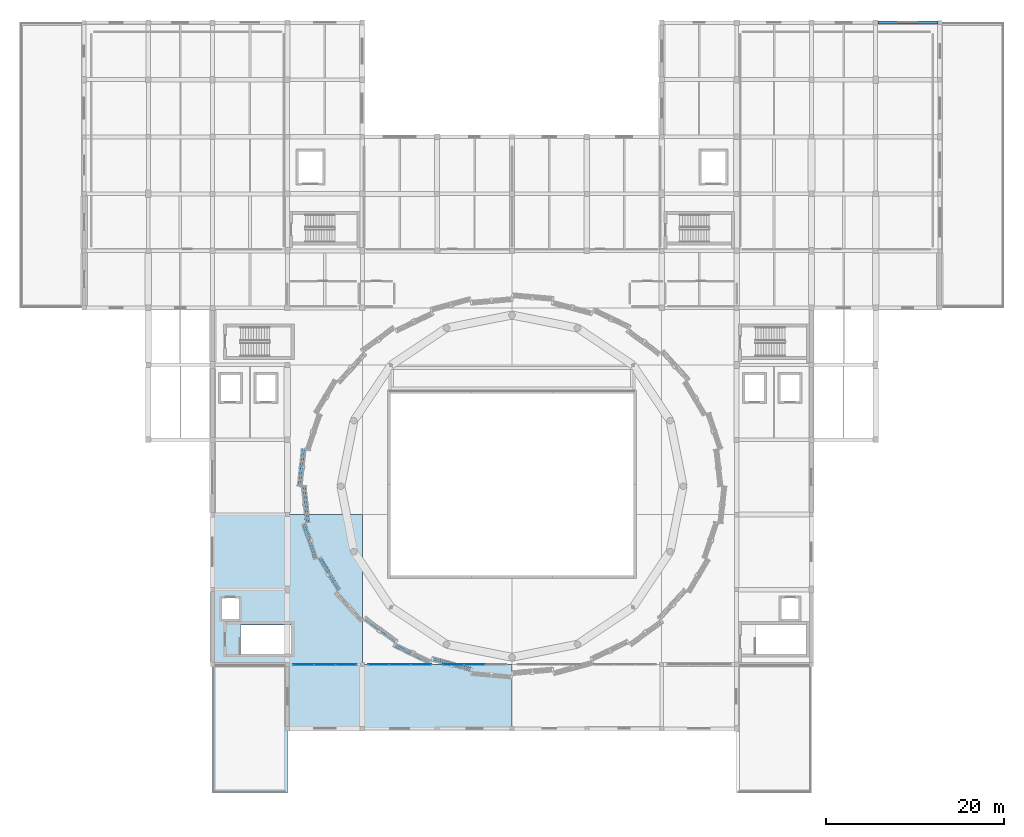
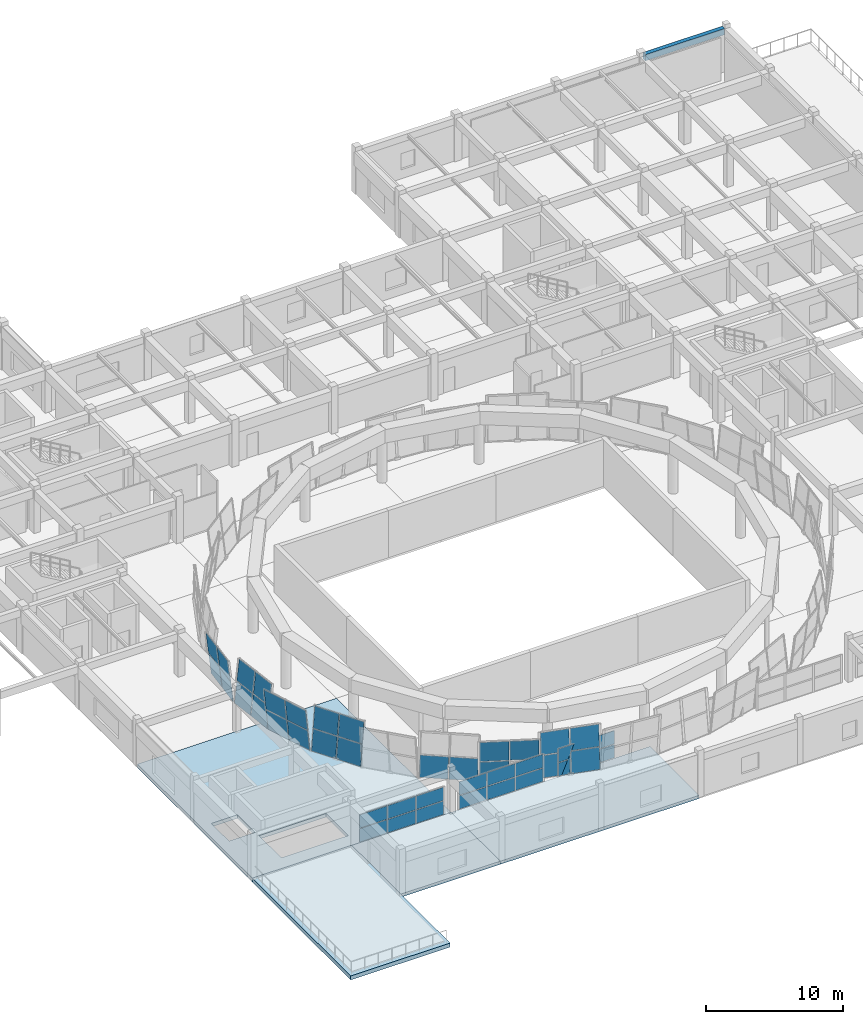
# One storey, part 23 of 40: 41 plates, 4 slabs, 1 beam, 10 elements without a shape of their own.
"""IFC4 building model written with IfcOpenShell, lengths in metres."""

from ifc_helpers import new_model, si_unit, direction, frame, origin, origin_2d, place, context, subcontext, project, spatial, polyline, rectangle, outline, extrude, material, layer, layer_set, material_profile, profile_set, type_object, element, aggregate, save


model = new_model("IFC4")

# Units and contexts
model_context = context("Model", 3, precision=1e-05, world=origin(), true_north=direction((0.0, 1.0)))
body_context = subcontext(model_context, "Body", "Model", "MODEL_VIEW")
ifc_project = project(units=[si_unit("LENGTHUNIT", "METRE"), si_unit("AREAUNIT", "SQUARE_METRE"), si_unit("VOLUMEUNIT", "CUBIC_METRE"), si_unit("PLANEANGLEUNIT", "RADIAN"), si_unit("MASSUNIT", "GRAM", prefix="KILO")], contexts=[model_context])

# Site, building, storey
site_placement = place(None, origin())
site = spatial("IfcSite", under=ifc_project, at=site_placement, CompositionType="ELEMENT")
building_placement = place(site_placement, origin())
building = spatial("IfcBuilding", under=site, at=building_placement, Name="Korsvaeld Concert Hall", CompositionType="ELEMENT")
storey_placement = place(building_placement, frame((0.0, 0.0, 13.199951171875)))
storey = spatial("IfcBuildingStorey", under=building, at=storey_placement, Name="L03", CompositionType="ELEMENT", Elevation=13.199951171875)

# Beam
ifc_material_1 = material(Name="Concrete C35/45", Category="concrete")
ifc_material_profile = material_profile(ifc_material_1, rectangle(XDim=0.35009765625, YDim=0.550048828125, at=origin_2d()), Name="RC 350x550")
ifc_profile_set = profile_set([ifc_material_profile], Name="Concrete C35/45")
beam_type = type_object("IfcBeamType", Name="BM-SP-350x550", PredefinedType="SPANDREL", material=ifc_profile_set)
beam_placement = place(storey_placement, frame((125.074951171875, 115.199951171875, 3.56494140625), z_axis=(1.0, 0.0, 0.0), x_axis=(0.0, 1.0, 0.0)))
element("IfcBeam", 1, at=beam_placement, inside=storey, type_object=beam_type, Name="Primary girder 17-18/S L03", PredefinedType="SPANDREL", context=body_context, shape_type="SweptSolid", body=[
    extrude(rectangle(XDim=0.35009765625, YDim=0.550048828125, at=origin_2d()), origin(), (0.0, 0.0, 1.0), 6.699951171875),
])

# Curtain wall, plates
ifc_material_2 = material(Name="Anodised bronze and ceramic-fritted safety glass", Category="glass")
curtain_wall_type_1 = type_object("IfcCurtainWallType", Name="CW-TYPE-13", PredefinedType="USERDEFINED", material=ifc_material_2)
curtain_wall_1_placement = place(storey_placement, origin())
curtain_wall_1 = element("IfcCurtainWall", 2, at=curtain_wall_1_placement, inside=storey, type_object=curtain_wall_type_1, Name="Glazed foyer acoustic screen L03-37", ObjectType="CURTAIN WALL", PredefinedType="USERDEFINED")
ifc_material_3 = material(Name="Clear acoustic triple safety glazing", Category="glass")
ifc_layer_1 = layer(ifc_material_3, 0.0439453125)
ifc_layer_set_1 = layer_set([ifc_layer_1], Name="Clear acoustic triple safety glazing")
plate_type_1 = type_object("IfcPlateType", Name="CWP-CLEAR-44", PredefinedType="CURTAIN_PANEL", material=ifc_layer_set_1)
plate_1_placement = place(storey_placement, frame((60.614990234375, 43.199951171875, 0.06005859375), z_axis=(0.0, 0.0, 1.0), x_axis=(1.0, 0.0, 0.0)))
plate_1 = element("IfcPlate", 3, at=plate_1_placement, type_object=plate_type_1, Name="CW-13 panel 1.1", PredefinedType="CURTAIN_PANEL", context=body_context, shape_type="SweptSolid", body=[
    extrude(rectangle(XDim=2.31005859375, YDim=0.0439453125, at=origin_2d()), origin(), (0.0, 0.0, 1.0), 1.18505859375),
])
plate_2_placement = place(storey_placement, frame((60.614990234375, 43.199951171875, 1.304931640625), z_axis=(0.0, 0.0, 1.0), x_axis=(1.0, 0.0, 0.0)))
plate_2 = element("IfcPlate", 4, at=plate_2_placement, type_object=plate_type_1, Name="CW-13 panel 1.2", PredefinedType="CURTAIN_PANEL", context=body_context, shape_type="SweptSolid", body=[
    extrude(rectangle(XDim=2.31005859375, YDim=0.0439453125, at=origin_2d()), origin(), (0.0, 0.0, 1.0), 1.18505859375),
])
plate_3_placement = place(storey_placement, frame((63.0, 43.199951171875, 0.06005859375), z_axis=(0.0, 0.0, 1.0), x_axis=(1.0, 0.0, 0.0)))
plate_3 = element("IfcPlate", 5, at=plate_3_placement, type_object=plate_type_1, Name="CW-13 panel 2.1", PredefinedType="CURTAIN_PANEL", context=body_context, shape_type="SweptSolid", body=[
    extrude(rectangle(XDim=2.340087890625, YDim=0.0439453125, at=origin_2d()), origin(), (0.0, 0.0, 1.0), 1.18505859375),
])
plate_4_placement = place(storey_placement, frame((63.0, 43.199951171875, 1.304931640625), z_axis=(0.0, 0.0, 1.0), x_axis=(1.0, 0.0, 0.0)))
plate_4 = element("IfcPlate", 6, at=plate_4_placement, type_object=plate_type_1, Name="CW-13 panel 2.2", PredefinedType="CURTAIN_PANEL", context=body_context, shape_type="SweptSolid", body=[
    extrude(rectangle(XDim=2.340087890625, YDim=0.0439453125, at=origin_2d()), origin(), (0.0, 0.0, 1.0), 1.18505859375),
])
plate_5_placement = place(storey_placement, frame((65.385009765625, 43.199951171875, 0.06005859375), z_axis=(0.0, 0.0, 1.0), x_axis=(1.0, 0.0, 0.0)))
plate_5 = element("IfcPlate", 7, at=plate_5_placement, type_object=plate_type_1, Name="CW-13 panel 3.1", PredefinedType="CURTAIN_PANEL", context=body_context, shape_type="SweptSolid", body=[
    extrude(rectangle(XDim=2.31005859375, YDim=0.0439453125, at=origin_2d()), origin(), (0.0, 0.0, 1.0), 1.18505859375),
])
plate_6_placement = place(storey_placement, frame((65.385009765625, 43.199951171875, 1.304931640625), z_axis=(0.0, 0.0, 1.0), x_axis=(1.0, 0.0, 0.0)))
plate_6 = element("IfcPlate", 8, at=plate_6_placement, type_object=plate_type_1, Name="CW-13 panel 3.2", PredefinedType="CURTAIN_PANEL", context=body_context, shape_type="SweptSolid", body=[
    extrude(rectangle(XDim=2.31005859375, YDim=0.0439453125, at=origin_2d()), origin(), (0.0, 0.0, 1.0), 1.18505859375),
])
aggregate(curtain_wall_1, [plate_1, plate_2, plate_3, plate_4, plate_5, plate_6])

curtain_wall_type_2 = type_object("IfcCurtainWallType", Name="CW-TYPE-14", PredefinedType="USERDEFINED", material=ifc_material_2)
curtain_wall_2_placement = place(storey_placement, origin())
curtain_wall_2 = element("IfcCurtainWall", 9, at=curtain_wall_2_placement, inside=storey, type_object=curtain_wall_type_2, Name="Glazed foyer acoustic screen L03-38", ObjectType="CURTAIN WALL", PredefinedType="USERDEFINED")
plate_7_placement = place(storey_placement, frame((69.014892578125, 43.199951171875, 0.06005859375), z_axis=(0.0, 0.0, 1.0), x_axis=(1.0, 0.0, 0.0)))
plate_7 = element("IfcPlate", 10, at=plate_7_placement, type_object=plate_type_1, Name="CW-14 panel 1.1", PredefinedType="CURTAIN_PANEL", context=body_context, shape_type="SweptSolid", body=[
    extrude(rectangle(XDim=2.31005859375, YDim=0.0439453125, at=origin_2d()), origin(), (0.0, 0.0, 1.0), 1.18505859375),
])
plate_8_placement = place(storey_placement, frame((69.014892578125, 43.199951171875, 1.304931640625), z_axis=(0.0, 0.0, 1.0), x_axis=(1.0, 0.0, 0.0)))
plate_8 = element("IfcPlate", 11, at=plate_8_placement, type_object=plate_type_1, Name="CW-14 panel 1.2", PredefinedType="CURTAIN_PANEL", context=body_context, shape_type="SweptSolid", body=[
    extrude(rectangle(XDim=2.31005859375, YDim=0.0439453125, at=origin_2d()), origin(), (0.0, 0.0, 1.0), 1.18505859375),
])
plate_9_placement = place(storey_placement, frame((71.39990234375, 43.199951171875, 0.06005859375), z_axis=(0.0, 0.0, 1.0), x_axis=(1.0, 0.0, 0.0)))
plate_9 = element("IfcPlate", 12, at=plate_9_placement, type_object=plate_type_1, Name="CW-14 panel 2.1", PredefinedType="CURTAIN_PANEL", context=body_context, shape_type="SweptSolid", body=[
    extrude(rectangle(XDim=2.340087890625, YDim=0.0439453125, at=origin_2d()), origin(), (0.0, 0.0, 1.0), 1.18505859375),
])
plate_10_placement = place(storey_placement, frame((71.39990234375, 43.199951171875, 1.304931640625), z_axis=(0.0, 0.0, 1.0), x_axis=(1.0, 0.0, 0.0)))
plate_10 = element("IfcPlate", 13, at=plate_10_placement, type_object=plate_type_1, Name="CW-14 panel 2.2", PredefinedType="CURTAIN_PANEL", context=body_context, shape_type="SweptSolid", body=[
    extrude(rectangle(XDim=2.340087890625, YDim=0.0439453125, at=origin_2d()), origin(), (0.0, 0.0, 1.0), 1.18505859375),
])
plate_11_placement = place(storey_placement, frame((73.784912109375, 43.199951171875, 0.06005859375), z_axis=(0.0, 0.0, 1.0), x_axis=(1.0, 0.0, 0.0)))
plate_11 = element("IfcPlate", 14, at=plate_11_placement, type_object=plate_type_1, Name="CW-14 panel 3.1", PredefinedType="CURTAIN_PANEL", context=body_context, shape_type="SweptSolid", body=[
    extrude(rectangle(XDim=2.31005859375, YDim=0.0439453125, at=origin_2d()), origin(), (0.0, 0.0, 1.0), 1.18505859375),
])
plate_12_placement = place(storey_placement, frame((73.784912109375, 43.199951171875, 1.304931640625), z_axis=(0.0, 0.0, 1.0), x_axis=(1.0, 0.0, 0.0)))
plate_12 = element("IfcPlate", 15, at=plate_12_placement, type_object=plate_type_1, Name="CW-14 panel 3.2", PredefinedType="CURTAIN_PANEL", context=body_context, shape_type="SweptSolid", body=[
    extrude(rectangle(XDim=2.31005859375, YDim=0.0439453125, at=origin_2d()), origin(), (0.0, 0.0, 1.0), 1.18505859375),
])
aggregate(curtain_wall_2, [plate_7, plate_8, plate_9, plate_10, plate_11, plate_12])

curtain_wall_type_3 = type_object("IfcCurtainWallType", Name="CW-TYPE-15", PredefinedType="USERDEFINED", material=ifc_material_2)
curtain_wall_3_placement = place(storey_placement, origin())
curtain_wall_3 = element("IfcCurtainWall", 16, at=curtain_wall_3_placement, inside=storey, type_object=curtain_wall_type_3, Name="Glazed foyer acoustic screen L03-39", ObjectType="CURTAIN WALL", PredefinedType="USERDEFINED")
plate_13_placement = place(storey_placement, frame((77.4150390625, 43.199951171875, 0.06005859375), z_axis=(0.0, 0.0, 1.0), x_axis=(1.0, 0.0, 0.0)))
plate_13 = element("IfcPlate", 17, at=plate_13_placement, type_object=plate_type_1, Name="CW-15 panel 1.1", PredefinedType="CURTAIN_PANEL", context=body_context, shape_type="SweptSolid", body=[
    extrude(rectangle(XDim=2.31005859375, YDim=0.0439453125, at=origin_2d()), origin(), (0.0, 0.0, 1.0), 1.18505859375),
])
plate_14_placement = place(storey_placement, frame((77.4150390625, 43.199951171875, 1.304931640625), z_axis=(0.0, 0.0, 1.0), x_axis=(1.0, 0.0, 0.0)))
plate_14 = element("IfcPlate", 18, at=plate_14_placement, type_object=plate_type_1, Name="CW-15 panel 1.2", PredefinedType="CURTAIN_PANEL", context=body_context, shape_type="SweptSolid", body=[
    extrude(rectangle(XDim=2.31005859375, YDim=0.0439453125, at=origin_2d()), origin(), (0.0, 0.0, 1.0), 1.18505859375),
])
plate_15_placement = place(storey_placement, frame((79.800048828125, 43.199951171875, 0.06005859375), z_axis=(0.0, 0.0, 1.0), x_axis=(1.0, 0.0, 0.0)))
plate_15 = element("IfcPlate", 19, at=plate_15_placement, type_object=plate_type_1, Name="CW-15 panel 2.1", PredefinedType="CURTAIN_PANEL", context=body_context, shape_type="SweptSolid", body=[
    extrude(rectangle(XDim=2.340087890625, YDim=0.0439453125, at=origin_2d()), origin(), (0.0, 0.0, 1.0), 1.18505859375),
])
plate_16_placement = place(storey_placement, frame((79.800048828125, 43.199951171875, 1.304931640625), z_axis=(0.0, 0.0, 1.0), x_axis=(1.0, 0.0, 0.0)))
plate_16 = element("IfcPlate", 20, at=plate_16_placement, type_object=plate_type_1, Name="CW-15 panel 2.2", PredefinedType="CURTAIN_PANEL", context=body_context, shape_type="SweptSolid", body=[
    extrude(rectangle(XDim=2.340087890625, YDim=0.0439453125, at=origin_2d()), origin(), (0.0, 0.0, 1.0), 1.18505859375),
])
aggregate(curtain_wall_3, [plate_13, plate_14, plate_15, plate_16])

curtain_wall_type_4 = type_object("IfcCurtainWallType", Name="CW-TYPE-08", PredefinedType="USERDEFINED", material=ifc_material_2)
curtain_wall_4_placement = place(storey_placement, origin())
curtain_wall_4 = element("IfcCurtainWall", 21, at=curtain_wall_4_placement, inside=storey, type_object=curtain_wall_type_4, Name="Crystal curtain-wall facet L03 F16", ObjectType="CURTAIN WALL", PredefinedType="USERDEFINED")
ifc_material_4 = material(Name="Translucent ceramic-fritted crystal safety glass", Category="glass")
ifc_layer_2 = layer(ifc_material_4, 0.035888671875)
ifc_layer_set_2 = layer_set([ifc_layer_2], Name="Translucent ceramic-fritted crystal safety glass")
plate_type_2 = type_object("IfcPlateType", Name="CWP-CRYSTAL-36", PredefinedType="CURTAIN_PANEL", material=ifc_layer_set_2)
plate_17_placement = place(storey_placement, frame((60.838623046875, 67.261962890625, 0.06005859375), z_axis=(-0.98764938802, 0.108355443344, -0.113171481577), x_axis=(-0.10905607732, -0.99403559896, 0.0)))
plate_17 = element("IfcPlate", 22, at=plate_17_placement, type_object=plate_type_2, Name="CW-CRYS-L03-F16 ceramic-fritted crystal panel 1.1", PredefinedType="CURTAIN_PANEL", context=body_context, shape_type="SweptSolid", body=[
    extrude(outline(polyline([(0.0, 0.0), (1.9677913844802313, 3.469446951953614e-18), (1.97224488081178, 1.8620605188167947), (0.004453496331548846, 1.8620605188167947), (0.0, 0.0)])), frame((0.0, 0.0, 0.01806640625)), (0.0, 0.0, -1.0), 0.035888671875),
])
plate_18_placement = place(storey_placement, frame((60.621826171875, 67.28125, 1.969970703125), z_axis=(-0.987650850226, 0.108342081287, -0.113171513509), x_axis=(-0.109042629262, -0.99403707426, 0.0)))
plate_18 = element("IfcPlate", 23, at=plate_18_placement, type_object=plate_type_2, Name="CW-CRYS-L03-F16 ceramic-fritted crystal panel 1.2", PredefinedType="CURTAIN_PANEL", context=body_context, shape_type="SweptSolid", body=[
    extrude(outline(polyline([(0.0, 0.0), (1.9680340691327352, -3.469446951953614e-18), (1.9724847145236928, 1.8620605256332161), (0.004450645390957637, 1.8620605256332161), (0.0, 0.0)])), frame((0.0, 0.0, 0.01806640625)), (0.0, 0.0, -1.0), 0.035888671875),
])
plate_19_placement = place(storey_placement, frame((60.615966796875, 65.231201171875, 0.06005859375), z_axis=(-0.98764938802, 0.108355443344, -0.113171481577), x_axis=(-0.10905607732, -0.99403559896, 0.0)))
plate_19 = element("IfcPlate", 24, at=plate_19_placement, type_object=plate_type_2, Name="CW-CRYS-L03-F16 ceramic-fritted crystal panel 2.1", PredefinedType="CURTAIN_PANEL", context=body_context, shape_type="SweptSolid", body=[
    extrude(outline(polyline([(0.0, 0.0), (1.9677913844802313, 3.469446951953614e-18), (1.97224488081178, 1.8620605188167947), (0.004453496331548846, 1.8620605188167947), (0.0, 0.0)])), frame((0.0, 0.0, 0.01806640625)), (0.0, 0.0, -1.0), 0.035888671875),
])
plate_20_placement = place(storey_placement, frame((60.399169921875, 65.25048828125, 1.969970703125), z_axis=(-0.98764938802, 0.108355443344, -0.113171481577), x_axis=(-0.10905607732, -0.99403559896, 0.0)))
plate_20 = element("IfcPlate", 25, at=plate_20_placement, type_object=plate_type_2, Name="CW-CRYS-L03-F16 ceramic-fritted crystal panel 2.2", PredefinedType="CURTAIN_PANEL", context=body_context, shape_type="SweptSolid", body=[
    extrude(outline(polyline([(0.0, 0.0), (1.9677913844802313, 3.469446951953614e-18), (1.97224488081178, 1.8620605188167947), (0.004453496331548846, 1.8620605188167947), (0.0, 0.0)])), frame((0.0, 0.0, 0.01806640625)), (0.0, 0.0, -1.0), 0.035888671875),
])
aggregate(curtain_wall_4, [plate_17, plate_18, plate_19, plate_20])

curtain_wall_type_5 = type_object("IfcCurtainWallType", Name="CW-TYPE-01", PredefinedType="USERDEFINED", material=ifc_material_2)
curtain_wall_5_placement = place(storey_placement, origin())
curtain_wall_5 = element("IfcCurtainWall", 26, at=curtain_wall_5_placement, inside=storey, type_object=curtain_wall_type_5, Name="Crystal curtain-wall facet L03 F17", ObjectType="CURTAIN WALL", PredefinedType="USERDEFINED")
plate_21_placement = place(storey_placement, frame((60.4150390625, 63.1259765625, 0.06005859375), z_axis=(-0.987662711113, -0.108233632097, 0.113171771918), x_axis=(0.108933482058, -0.994049041289, 0.0)))
plate_21 = element("IfcPlate", 27, at=plate_21_placement, type_object=plate_type_2, Name="CW-CRYS-L03-F17 ceramic-fritted crystal panel 1.1", PredefinedType="CURTAIN_PANEL", context=body_context, shape_type="SweptSolid", body=[
    extrude(outline(polyline([(0.0, 0.0), (1.967764774426495, 0.0), (1.972192281123818, 1.8620605807949135), (0.004427506697322853, 1.8620605807949135), (0.0, 0.0)])), frame((0.0, 0.0, 0.01806640625)), (0.0, 0.0, -1.0), 0.035888671875),
])
plate_22_placement = place(storey_placement, frame((60.6318359375, 63.145263671875, 1.969970703125), z_axis=(-0.987662711113, -0.108233632097, 0.113171771918), x_axis=(0.108933482058, -0.994049041289, 0.0)))
plate_22 = element("IfcPlate", 28, at=plate_22_placement, type_object=plate_type_2, Name="CW-CRYS-L03-F17 ceramic-fritted crystal panel 1.2", PredefinedType="CURTAIN_PANEL", context=body_context, shape_type="SweptSolid", body=[
    extrude(outline(polyline([(0.0, 0.0), (1.967764774426495, 0.0), (1.972192281123818, 1.8620605807949135), (0.004427506697322853, 1.8620605807949135), (0.0, 0.0)])), frame((0.0, 0.0, 0.01806640625)), (0.0, 0.0, -1.0), 0.035888671875),
])
plate_23_placement = place(storey_placement, frame((60.6376953125, 61.095458984375, 0.06005859375), z_axis=(-0.987664170071, -0.108220284703, 0.113171803629), x_axis=(0.108920048755, -0.994050513294, 0.0)))
plate_23 = element("IfcPlate", 29, at=plate_23_placement, type_object=plate_type_2, Name="CW-CRYS-L03-F17 ceramic-fritted crystal panel 2.1", PredefinedType="CURTAIN_PANEL", context=body_context, shape_type="SweptSolid", body=[
    extrude(outline(polyline([(0.0, 0.0), (1.9680074623604151, 0.0), (1.9724321212761298, 1.8620605875640366), (0.004424658915714849, 1.8620605875640366), (0.0, 0.0)])), frame((0.0, 0.0, 0.01806640625)), (0.0, 0.0, -1.0), 0.035888671875),
])
plate_24_placement = place(storey_placement, frame((60.8544921875, 61.114501953125, 1.969970703125), z_axis=(-0.987662711113, -0.108233632097, 0.113171771918), x_axis=(0.108933482058, -0.994049041289, 0.0)))
plate_24 = element("IfcPlate", 30, at=plate_24_placement, type_object=plate_type_2, Name="CW-CRYS-L03-F17 ceramic-fritted crystal panel 2.2", PredefinedType="CURTAIN_PANEL", context=body_context, shape_type="SweptSolid", body=[
    extrude(outline(polyline([(0.0, 0.0), (1.967764774426495, 0.0), (1.972192281123818, 1.8620605807949135), (0.004427506697322853, 1.8620605807949135), (0.0, 0.0)])), frame((0.0, 0.0, 0.01806640625)), (0.0, 0.0, -1.0), 0.035888671875),
])
aggregate(curtain_wall_5, [plate_21, plate_22, plate_23, plate_24])

curtain_wall_type_6 = type_object("IfcCurtainWallType", Name="CW-TYPE-02", PredefinedType="USERDEFINED", material=ifc_material_2)
curtain_wall_6_placement = place(storey_placement, origin())
curtain_wall_6 = element("IfcCurtainWall", 31, at=curtain_wall_6_placement, inside=storey, type_object=curtain_wall_type_6, Name="Crystal curtain-wall facet L03 F18", ObjectType="CURTAIN WALL", PredefinedType="USERDEFINED")
plate_25_placement = place(storey_placement, frame((60.870849609375, 58.9912109375, 0.06005859375), z_axis=(-0.941366104364, -0.317900359323, -0.113000969451), x_axis=(0.319949676143, -0.947434538497, 0.0)))
plate_25 = element("IfcPlate", 32, at=plate_25_placement, type_object=plate_type_2, Name="CW-CRYS-L03-F18 ceramic-fritted crystal panel 1.1", PredefinedType="CURTAIN_PANEL", context=body_context, shape_type="SweptSolid", body=[
    extrude(outline(polyline([(0.0, 0.0), (1.9862437572585203, 0.0), (1.9736826146833244, 1.8620241487311948), (-0.012561142575196048, 1.8620241487311948), (0.0, 0.0)])), frame((0.0, 0.0, 0.01806640625)), (0.0, 0.0, -1.0), 0.035888671875),
])
plate_26_placement = place(storey_placement, frame((60.660888671875, 58.93408203125, 1.969970703125), z_axis=(-0.941378575992, -0.317863332898, -0.113001231244), x_axis=(0.319912420616, -0.947447118912, 0.0)))
plate_26 = element("IfcPlate", 33, at=plate_26_placement, type_object=plate_type_2, Name="CW-CRYS-L03-F18 ceramic-fritted crystal panel 1.2", PredefinedType="CURTAIN_PANEL", context=body_context, shape_type="SweptSolid", body=[
    extrude(outline(polyline([(0.0, 0.0), (1.9864750660546802, 1.3877787807814457e-17), (1.9739221973095524, 1.862024204527748), (-0.012552868745127732, 1.862024204527748), (0.0, 0.0)])), frame((0.0, 0.0, 0.01806640625)), (0.0, 0.0, -1.0), 0.035888671875),
])
plate_27_placement = place(storey_placement, frame((61.5302734375, 57.038330078125, 0.06005859375), z_axis=(-0.941378575992, -0.317863332898, -0.113001231244), x_axis=(0.319912420616, -0.947447118912, 0.0)))
plate_27 = element("IfcPlate", 34, at=plate_27_placement, type_object=plate_type_2, Name="CW-CRYS-L03-F18 ceramic-fritted crystal panel 2.1", PredefinedType="CURTAIN_PANEL", context=body_context, shape_type="SweptSolid", body=[
    extrude(outline(polyline([(0.0, 0.0), (1.9864750660546802, 1.3877787807814457e-17), (1.9739221973095524, 1.862024204527748), (-0.012552868745127732, 1.862024204527748), (0.0, 0.0)])), frame((0.0, 0.0, 0.01806640625)), (0.0, 0.0, -1.0), 0.035888671875),
])
plate_28_placement = place(storey_placement, frame((61.3203125, 56.98095703125, 1.969970703125), z_axis=(-0.941366104364, -0.317900359323, -0.113000969451), x_axis=(0.319949676143, -0.947434538497, 0.0)))
plate_28 = element("IfcPlate", 35, at=plate_28_placement, type_object=plate_type_2, Name="CW-CRYS-L03-F18 ceramic-fritted crystal panel 2.2", PredefinedType="CURTAIN_PANEL", context=body_context, shape_type="SweptSolid", body=[
    extrude(outline(polyline([(0.0, 0.0), (1.9862437572585203, 0.0), (1.9736826146833244, 1.8620241487311948), (-0.012561142575196048, 1.8620241487311948), (0.0, 0.0)])), frame((0.0, 0.0, 0.01806640625)), (0.0, 0.0, -1.0), 0.035888671875),
])
aggregate(curtain_wall_6, [plate_25, plate_26, plate_27, plate_28])

curtain_wall_type_7 = type_object("IfcCurtainWallType", Name="CW-TYPE-03", PredefinedType="USERDEFINED", material=ifc_material_2)
curtain_wall_7_placement = place(storey_placement, origin())
curtain_wall_7 = element("IfcCurtainWall", 36, at=curtain_wall_7_placement, inside=storey, type_object=curtain_wall_type_7, Name="Crystal curtain-wall facet L03 F19", ObjectType="CURTAIN WALL", PredefinedType="USERDEFINED")
plate_29_placement = place(storey_placement, frame((62.240966796875, 55.025634765625, 0.06005859375), z_axis=(-0.853893593206, -0.508097010457, 0.112708293603), x_axis=(0.511355642528, -0.859369191234, 3.460787e-06)))
plate_29 = element("IfcPlate", 37, at=plate_29_placement, type_object=plate_type_2, Name="CW-CRYS-L03-F19 ceramic-fritted crystal panel 1.1", PredefinedType="CURTAIN_PANEL", context=body_context, shape_type="SweptSolid", body=[
    extrude(outline(polyline([(0.0, 0.0), (2.0199366877959646, 1.3877787807814457e-17), (2.0388127149924435, 1.8619547528990286), (0.018666220265025214, 1.8619688244266253), (0.0, 0.0)])), frame((0.0, 0.0, 0.01806640625)), (0.0, 0.0, -1.0), 0.035888671875),
])
plate_30_placement = place(storey_placement, frame((62.43701171875, 55.119873046875, 1.969970703125), z_axis=(-0.853914504774, -0.508049407558, 0.112764435958), x_axis=(0.511310904745, -0.859395810254, 2.35671e-06)))
plate_30 = element("IfcPlate", 38, at=plate_30_placement, type_object=plate_type_2, Name="CW-CRYS-L03-F19 ceramic-fritted crystal panel 1.2", PredefinedType="CURTAIN_PANEL", context=body_context, shape_type="SweptSolid", body=[
    extrude(outline(polyline([(0.0, 0.0), (2.0201464952873813, -2.7755575615628914e-17), (2.038799744799733, 1.8619689549674794), (0.018987894706443156, 1.861978537093525), (0.0, 0.0)])), frame((0.0, 0.0, 0.01806640625)), (0.0, 0.0, -1.0), 0.035888671875),
])
plate_31_placement = place(storey_placement, frame((63.312255859375, 53.225341796875, 0.06005859375), z_axis=(-0.853893593206, -0.508097010457, 0.112708293603), x_axis=(0.511354967854, -0.85936959269, -3.460427e-06)))
plate_31 = element("IfcPlate", 39, at=plate_31_placement, type_object=plate_type_2, Name="CW-CRYS-L03-F19 ceramic-fritted crystal panel 2.1", PredefinedType="CURTAIN_PANEL", context=body_context, shape_type="SweptSolid", body=[
    extrude(outline(polyline([(0.0, 0.0), (2.020146494776427, 1.3877787807814457e-17), (2.0387997453154054, 1.8619689544028337), (0.018863057568443344, 1.861954884336668), (0.0, 0.0)])), frame((0.0, 0.0, 0.01806640625)), (0.0, 0.0, -1.0), 0.035888671875),
])
plate_32_placement = place(storey_placement, frame((63.50830078125, 53.3193359375, 1.969970703125), z_axis=(-0.853895606904, -0.508073891, 0.112797224229), x_axis=(0.511337798574, -0.859379808767, 5.820704e-06)))
plate_32 = element("IfcPlate", 40, at=plate_32_placement, type_object=plate_type_2, Name="CW-CRYS-L03-F19 ceramic-fritted crystal panel 2.2", PredefinedType="CURTAIN_PANEL", context=body_context, shape_type="SweptSolid", body=[
    extrude(outline(polyline([(0.0, 0.0), (2.019936686058763, 0.0), (2.038602913623199, 1.8619688224688642), (0.018791065894165827, 1.8619924876787373), (0.0, 0.0)])), frame((0.0, 0.0, 0.01806640625)), (0.0, 0.0, -1.0), 0.035888671875),
])
aggregate(curtain_wall_7, [plate_29, plate_30, plate_31, plate_32])

curtain_wall_type_8 = type_object("IfcCurtainWallType", Name="CW-TYPE-05", PredefinedType="USERDEFINED", material=ifc_material_2)
curtain_wall_8_placement = place(storey_placement, origin())
curtain_wall_8 = element("IfcCurtainWall", 41, at=curtain_wall_8_placement, inside=storey, type_object=curtain_wall_type_8, Name="Crystal curtain-wall facet L03 F21", ObjectType="CURTAIN WALL", PredefinedType="USERDEFINED")
plate_33_placement = place(storey_placement, frame((67.377197265625, 48.169921875, 0.06005859375), z_axis=(-0.589606250178, -0.799810195203, 0.112552749416), x_axis=(0.804925146467, -0.59337636334, 3.840784e-06)))
plate_33 = element("IfcPlate", 42, at=plate_33_placement, type_object=plate_type_2, Name="CW-CRYS-L03-F21 ceramic-fritted crystal panel 1.1", PredefinedType="CURTAIN_PANEL", context=body_context, shape_type="SweptSolid", body=[
    extrude(outline(polyline([(0.0, 0.0), (2.109154469485147, -2.7755575615628914e-17), (2.131252808658941, 1.8619205774388161), (0.02229485410213064, 1.8619368818990785), (0.0, 0.0)])), frame((0.0, 0.0, 0.01806640625)), (0.0, 0.0, -1.0), 0.035888671875),
])
plate_34_placement = place(storey_placement, frame((69.13525390625, 46.873779296875, 0.06005859375), z_axis=(-0.589629269114, -0.799783907169, 0.112618945289), x_axis=(0.804904507896, -0.593404358906, 0.0)))
plate_34 = element("IfcPlate", 43, at=plate_34_placement, type_object=plate_type_2, Name="CW-CRYS-L03-F21 ceramic-fritted crystal panel 2.1", PredefinedType="CURTAIN_PANEL", context=body_context, shape_type="SweptSolid", body=[
    extrude(outline(polyline([(0.0, 0.0), (2.1089579558479716, 1.3877787807814457e-17), (2.130897028751609, 1.8619428700867073), (0.0219390729036376, 1.8619428700867073), (0.0, 0.0)])), frame((0.0, 0.0, 0.01806640625)), (0.0, 0.0, -1.0), 0.035888671875),
])
aggregate(curtain_wall_8, [plate_33, plate_34])

curtain_wall_type_9 = type_object("IfcCurtainWallType", Name="CW-TYPE-06", PredefinedType="USERDEFINED", material=ifc_material_2)
curtain_wall_9_placement = place(storey_placement, origin())
curtain_wall_9 = element("IfcCurtainWall", 44, at=curtain_wall_9_placement, inside=storey, type_object=curtain_wall_type_9, Name="Crystal curtain-wall facet L03 F22", ObjectType="CURTAIN WALL", PredefinedType="USERDEFINED")
plate_35_placement = place(storey_placement, frame((70.95263671875, 45.534423828125, 0.06005859375), z_axis=(-0.429999158214, -0.895756378641, -0.112788448256), x_axis=(0.901508884705, -0.432760592935, 0.0)))
plate_35 = element("IfcPlate", 45, at=plate_35_placement, type_object=plate_type_2, Name="CW-CRYS-L03-F22 ceramic-fritted crystal panel 1.1", PredefinedType="CURTAIN_PANEL", context=body_context, shape_type="SweptSolid", body=[
    extrude(outline(polyline([(0.0, 0.0), (2.1505286703400395, 0.0), (2.131642301423537, 1.8619788978930212), (-0.018886368916502288, 1.8619788978930212), (0.0, 0.0)])), frame((0.0, 0.0, 0.01806640625)), (0.0, 0.0, -1.0), 0.035888671875),
])
plate_36_placement = place(storey_placement, frame((70.84130859375, 45.347412109375, 1.969970703125), z_axis=(-0.430022527134, -0.89574865601, -0.112760682039), x_axis=(0.901498388408, -0.432782457697, -2.752414e-06)))
plate_36 = element("IfcPlate", 46, at=plate_36_placement, type_object=plate_type_2, Name="CW-CRYS-L03-F22 ceramic-fritted crystal panel 1.2", PredefinedType="CURTAIN_PANEL", context=body_context, shape_type="SweptSolid", body=[
    extrude(outline(polyline([(0.0, 0.0), (2.15052866969938, 0.0), (2.1316423020585704, 1.8619788971660192), (-0.0186662752608272, 1.8619669834991164), (0.0, 0.0)])), frame((0.0, 0.0, 0.01806640625)), (0.0, 0.0, -1.0), 0.035888671875),
])
plate_37_placement = place(storey_placement, frame((72.84765625, 44.38427734375, 1.969970703125), z_axis=(-0.430090776937, -0.89571226322, -0.112789472515), x_axis=(0.901464591462, -0.432852850679, 0.0)))
plate_37 = element("IfcPlate", 47, at=plate_37_placement, type_object=plate_type_2, Name="CW-CRYS-L03-F22 ceramic-fritted crystal panel 2.2", PredefinedType="CURTAIN_PANEL", context=body_context, shape_type="SweptSolid", body=[
    extrude(outline(polyline([(0.0, 0.0), (2.150634336043882, 0.0), (2.1317694595248153, 1.8619791157700134), (-0.01886487651906714, 1.8619791157700134), (0.0, 0.0)])), frame((0.0, 0.0, 0.01806640625)), (0.0, 0.0, -1.0), 0.035888671875),
])
aggregate(curtain_wall_9, [plate_35, plate_36, plate_37])

curtain_wall_type_10 = type_object("IfcCurtainWallType", Name="CW-TYPE-07", PredefinedType="USERDEFINED", material=ifc_material_2)
curtain_wall_10_placement = place(storey_placement, origin())
curtain_wall_10 = element("IfcCurtainWall", 48, at=curtain_wall_10_placement, inside=storey, type_object=curtain_wall_type_10, Name="Crystal curtain-wall facet L03 F23", ObjectType="CURTAIN WALL", PredefinedType="USERDEFINED")
plate_38_placement = place(storey_placement, frame((75.043212890625, 43.6005859375, 0.06005859375), z_axis=(-0.261267170979, -0.958628162452, 0.113011112386), x_axis=(0.964808945702, -0.262951893492, -1.651991e-06)))
plate_38 = element("IfcPlate", 49, at=plate_38_placement, type_object=plate_type_2, Name="CW-CRYS-L03-F23 ceramic-fritted crystal panel 1.1", PredefinedType="CURTAIN_PANEL", context=body_context, shape_type="SweptSolid", body=[
    extrude(outline(polyline([(0.0, 0.0), (2.18176749988946, 1.3877787807814457e-17), (2.1944981908801506, 1.8620299592839915), (0.012495141931681508, 1.8620227038958976), (0.0, 0.0)])), frame((0.0, 0.0, 0.01806640625)), (0.0, 0.0, -1.0), 0.035888671875),
])
plate_39_placement = place(storey_placement, frame((75.11279296875, 43.806640625, 1.969970703125), z_axis=(-0.261163697715, -0.958656442547, 0.113010389604), x_axis=(0.964837427078, -0.262847368842, 1.651196e-06)))
plate_39 = element("IfcPlate", 50, at=plate_39_placement, type_object=plate_type_2, Name="CW-CRYS-L03-F23 ceramic-fritted crystal panel 1.2", PredefinedType="CURTAIN_PANEL", context=body_context, shape_type="SweptSolid", body=[
    extrude(outline(polyline([(0.0, 0.0), (2.1819388679447598, 0.0), (2.194462914557344, 1.8620225097062955), (0.012759602625054647, 1.8620297613910195), (0.0, 0.0)])), frame((0.0, 0.0, 0.01806640625)), (0.0, 0.0, -1.0), 0.035888671875),
])
plate_40_placement = place(storey_placement, frame((77.220703125, 43.00732421875, 0.06005859375), z_axis=(-0.26128178054, -0.958626175241, 0.112994191446), x_axis=(0.964805126409, -0.262965906641, 0.0)))
plate_40 = element("IfcPlate", 51, at=plate_40_placement, type_object=plate_type_2, Name="CW-CRYS-L03-F23 ceramic-fritted crystal panel 2.1", PredefinedType="CURTAIN_PANEL", context=body_context, shape_type="SweptSolid", body=[
    extrude(outline(polyline([(0.0, 0.0), (2.1817675001225645, -1.3877787807814457e-17), (2.1942626425191207, 1.862022704165911), (0.01249514239655624, 1.862022704165911), (0.0, 0.0)])), frame((0.0, 0.0, 0.01806640625)), (0.0, 0.0, -1.0), 0.035888671875),
])
plate_41_placement = place(storey_placement, frame((77.290283203125, 43.21337890625, 1.969970703125), z_axis=(-0.261213567784, -0.958635449337, 0.113073194349), x_axis=(0.964822956688, -0.262900479629, -7.717335e-06)))
plate_41 = element("IfcPlate", 52, at=plate_41_placement, type_object=plate_type_2, Name="CW-CRYS-L03-F23 ceramic-fritted crystal panel 2.2", PredefinedType="CURTAIN_PANEL", context=body_context, shape_type="SweptSolid", body=[
    extrude(outline(polyline([(0.0, 0.0), (2.1817674950410426, 0.0), (2.1944339950959075, 1.8620565918327672), (0.012495132262614448, 1.8620226982797985), (0.0, 0.0)])), frame((0.0, 0.0, 0.01806640625)), (0.0, 0.0, -1.0), 0.035888671875),
])
aggregate(curtain_wall_10, [plate_38, plate_39, plate_40, plate_41])

# Slabs
ifc_layer_3 = layer(ifc_material_1, 0.280029296875)
ifc_layer_set_3 = layer_set([ifc_layer_3], Name="Concrete C35/45")
slab_type_1 = type_object("IfcSlabType", Name="SLB-FOY-280", PredefinedType="FLOOR", material=ifc_layer_set_3)
slab_1_placement = place(storey_placement, frame((0.0, 0.0, -0.280029296875)))
element("IfcSlab", 53, at=slab_1_placement, inside=storey, type_object=slab_type_1, Name="Structural slab L03 V4_BELV_L03 1.1", PredefinedType="FLOOR", context=body_context, shape_type="SweptSolid", body=[
    extrude(outline(polyline([(58.800048828125, 36.0), (58.800048828125, 43.199951171875), (67.199951171875, 43.199951171875), (67.199951171875, 36.0), (58.800048828125, 36.0)])), origin(), (0.0, 0.0, 1.0), 0.280029296875),
])
slab_2_placement = place(storey_placement, frame((0.0, 0.0, -0.280029296875)))
element("IfcSlab", 54, at=slab_2_placement, inside=storey, type_object=slab_type_1, Name="Structural slab L03 V4_BELV_L03 2.1", PredefinedType="FLOOR", context=body_context, shape_type="SweptSolid", body=[
    extrude(outline(polyline([(67.199951171875, 36.0), (67.199951171875, 43.199951171875), (84.0, 43.199951171875), (84.0, 36.0), (67.199951171875, 36.0)])), origin(), (0.0, 0.0, 1.0), 0.280029296875),
])
ifc_layer_4 = layer(ifc_material_1, 0.320068359375)
ifc_layer_set_4 = layer_set([ifc_layer_4], Name="Concrete C35/45")
slab_type_2 = type_object("IfcSlabType", Name="SLB-HALL-320", PredefinedType="FLOOR", material=ifc_layer_set_4)
slab_3_placement = place(storey_placement, frame((0.0, 0.0, -0.320068359375)))
element("IfcSlab", 55, at=slab_3_placement, inside=storey, type_object=slab_type_2, Name="Structural slab L03 V1_L03 1.1", PredefinedType="FLOOR", context=body_context, shape_type="SweptSolid", body=[
    extrude(outline(polyline([(50.39990234375, 43.199951171875), (50.39990234375, 60.0), (67.199951171875, 60.0), (67.199951171875, 43.199951171875), (50.39990234375, 43.199951171875)]), holes=[polyline([(59.205078125, 47.64501953125), (53.544921875, 47.64501953125), (53.544921875, 44.39501953125), (59.205078125, 44.39501953125), (59.205078125, 47.64501953125)]), polyline([(53.5, 50.75), (51.300048828125, 50.75), (51.300048828125, 48.14990234375), (53.5, 48.14990234375), (53.5, 50.75)])]), origin(), (0.0, 0.0, 1.0), 0.320068359375),
])
ifc_layer_5 = layer(ifc_material_1, 0.360107421875)
ifc_layer_set_5 = layer_set([ifc_layer_5], Name="Concrete C35/45")
slab_type_3 = type_object("IfcSlabType", Name="SLB-TERR-360", PredefinedType="ROOF", material=ifc_layer_set_5)
slab_4_placement = place(storey_placement, frame((0.0, 0.0, -0.35986328125)))
element("IfcSlab", 56, at=slab_4_placement, inside=storey, type_object=slab_type_3, Name="South Belvedere Roof Garden", PredefinedType="ROOF", context=body_context, shape_type="SweptSolid", body=[
    extrude(outline(polyline([(58.800048828125, 28.800048828125), (58.800048828125, 43.199951171875), (50.39990234375, 43.199951171875), (50.39990234375, 28.800048828125), (58.800048828125, 28.800048828125)])), origin(), (0.0, 0.0, 1.0), 0.35986328125),
])

save(model, "model.ifc")
